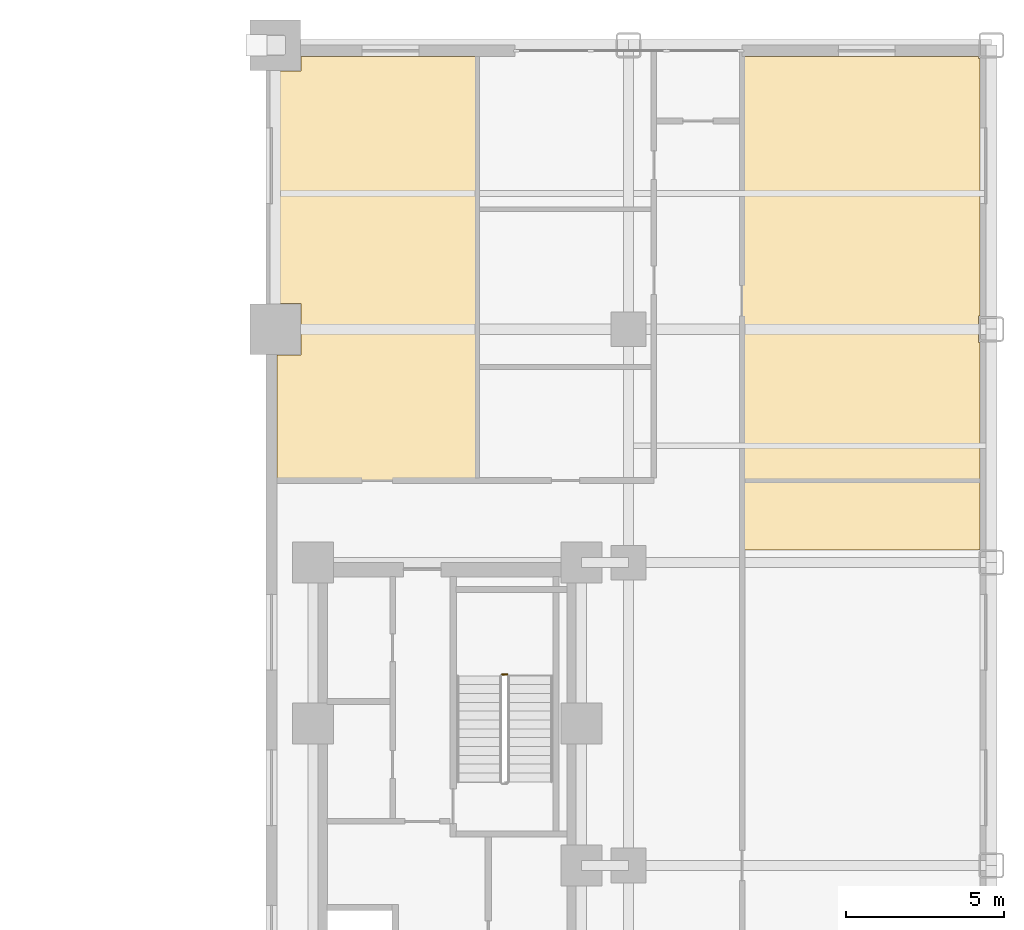
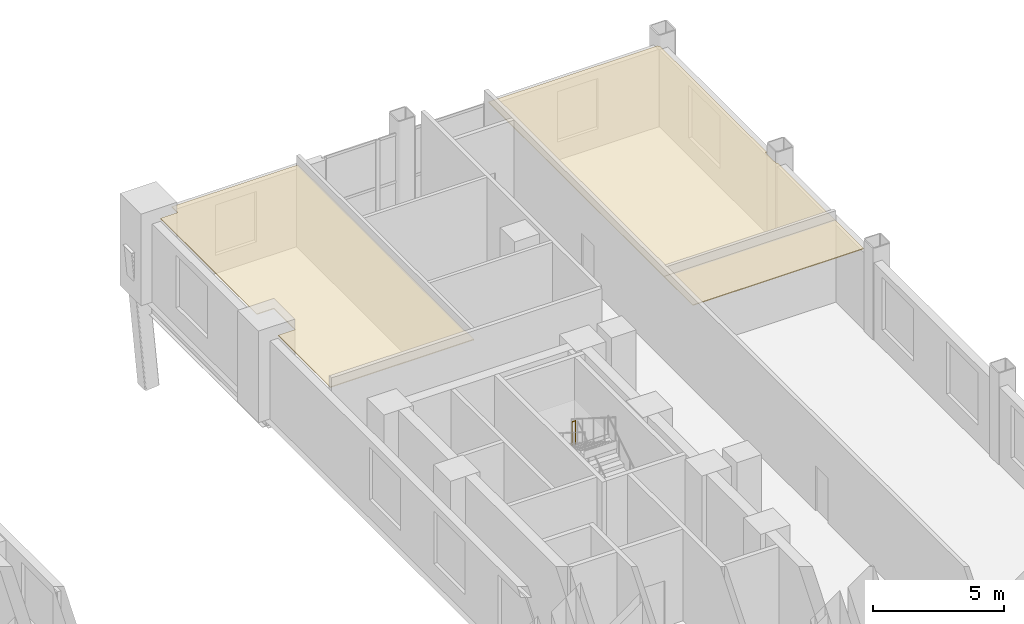
# One storey, part 15 of 15: 3 coverings, 1 railing.
"""IFC4 building model written with IfcOpenShell, lengths in metres."""

from ifc_helpers import new_model, si_unit, direction, frame, origin, origin_2d, place, context, subcontext, project, spatial, polyline, circle, outline, extrude, material, layer, layer_set, type_object, element, save


model = new_model("IFC4")

# Units and contexts
model_context = context("Model", 3, precision=1e-05, world=origin(), true_north=direction((0.0, 1.0)))
body_context = subcontext(model_context, "Body", "Model", "MODEL_VIEW")
ifc_project = project(units=[si_unit("LENGTHUNIT", "METRE"), si_unit("AREAUNIT", "SQUARE_METRE"), si_unit("VOLUMEUNIT", "CUBIC_METRE"), si_unit("PLANEANGLEUNIT", "RADIAN"), si_unit("MASSUNIT", "GRAM", prefix="KILO")], contexts=[model_context])

# Site, building, storey
site_placement = place(None, origin())
site = spatial("IfcSite", under=ifc_project, at=site_placement, CompositionType="ELEMENT")
building_placement = place(site_placement, origin())
building = spatial("IfcBuilding", under=site, at=building_placement, Name="Nuvemarco Arch Tower", CompositionType="ELEMENT")
storey_placement = place(building_placement, frame((0.0, 0.0, 4.60009765625)))
storey = spatial("IfcBuildingStorey", under=building, at=storey_placement, Name="L01", CompositionType="ELEMENT", Elevation=4.60009765625)

# Coverings
ifc_material_1 = material(Name="Mineral acoustic ceiling tile")
ifc_layer = layer(ifc_material_1, 0.0400390625, Name="COV-ACOUSTIC-CLG")
ifc_layer_set = layer_set([ifc_layer], Name="Mineral acoustic ceiling tile")
covering_type = type_object("IfcCoveringType", Name="COV-ACOUSTIC-CLG", PredefinedType="CEILING", material=ifc_layer_set)
covering_1_placement = place(storey_placement, frame((0.0, 0.0, 3.760009765625)))
element("IfcCovering", 1, at=covering_1_placement, inside=storey, type_object=covering_type, Name="L01 suspended acoustic ceiling 2", PredefinedType="CEILING", context=body_context, shape_type="SweptSolid", body=[
    extrude(outline(polyline([(30.139892578125, 10.014892578125), (30.0849609375, 10.014892578125), (30.0849609375, 10.0), (22.60009765625, 10.0), (22.60009765625, 12.199951171875), (30.139892578125, 12.199951171875), (30.139892578125, 10.014892578125)])), origin(), (0.0, 0.0, 1.0), 0.039794921875),
])
covering_2_placement = place(storey_placement, frame((0.0, 0.0, 3.760009765625)))
element("IfcCovering", 2, at=covering_2_placement, inside=storey, type_object=covering_type, Name="L01 suspended acoustic ceiling 4", PredefinedType="CEILING", context=body_context, shape_type="SweptSolid", body=[
    extrude(outline(polyline([(30.0849609375, 17.4150390625), (30.0849609375, 16.5849609375), (30.139892578125, 16.5849609375), (30.139892578125, 12.199951171875), (22.60009765625, 12.199951171875), (22.60009765625, 23.60009765625), (22.60009765625, 25.639892578125), (30.0849609375, 25.639892578125), (30.0849609375, 25.5849609375), (30.139892578125, 25.5849609375), (30.139892578125, 17.4150390625), (30.0849609375, 17.4150390625)])), origin(), (0.0, 0.0, 1.0), 0.039794921875),
])
covering_3_placement = place(storey_placement, frame((0.0, 0.0, 3.760009765625)))
element("IfcCovering", 3, at=covering_3_placement, inside=storey, type_object=covering_type, Name="L01 suspended acoustic ceiling 6", PredefinedType="CEILING", context=body_context, shape_type="SweptSolid", body=[
    extrude(outline(polyline([(8.614990234375, 25.18505859375), (8.614990234375, 25.639892578125), (14.199951171875, 25.639892578125), (14.199951171875, 20.800048828125), (14.199951171875, 15.800048828125), (14.199951171875, 12.199951171875), (7.860107421875, 12.199951171875), (7.860107421875, 16.18505859375), (8.614990234375, 16.18505859375), (8.614990234375, 17.81494140625), (7.860107421875, 17.81494140625), (7.860107421875, 25.18505859375), (8.614990234375, 25.18505859375)])), origin(), (0.0, 0.0, 1.0), 0.039794921875),
])

# Railing
ifc_material_2 = material(Name="Painted balustrade steel S355", Category="steel")
railing_type = type_object("IfcRailingType", Name="RL-STAIR-GUARD", PredefinedType="GUARDRAIL", material=ifc_material_2)
railing_placement = place(storey_placement, frame((15.14990234375, 6.06005859375, 2.2998046875)))
element("IfcRailing", 4, at=railing_placement, inside=storey, type_object=railing_type, Name="L01 ST-2 stair guard 2", PredefinedType="GUARDRAIL", context=body_context, shape_type="SweptSolid", body=[
    extrude(circle(Radius=0.02392578125, at=origin_2d()), frame((0.0, 0.0, 1.09619140625), z_axis=(-1.0, 0.0, 0.0), x_axis=(0.0, -1.0, 0.0)), (0.0, 0.0, 1.0), 0.159912109375),
    extrude(circle(Radius=0.02099609375, at=origin_2d()), origin(), (0.0, 0.0, 1.0), 1.072021484375),
    extrude(circle(Radius=0.02099609375, at=origin_2d()), frame((-0.159912109375, 0.0, 0.0)), (0.0, 0.0, 1.0), 1.072021484375),
])

save(model, "model.ifc")
